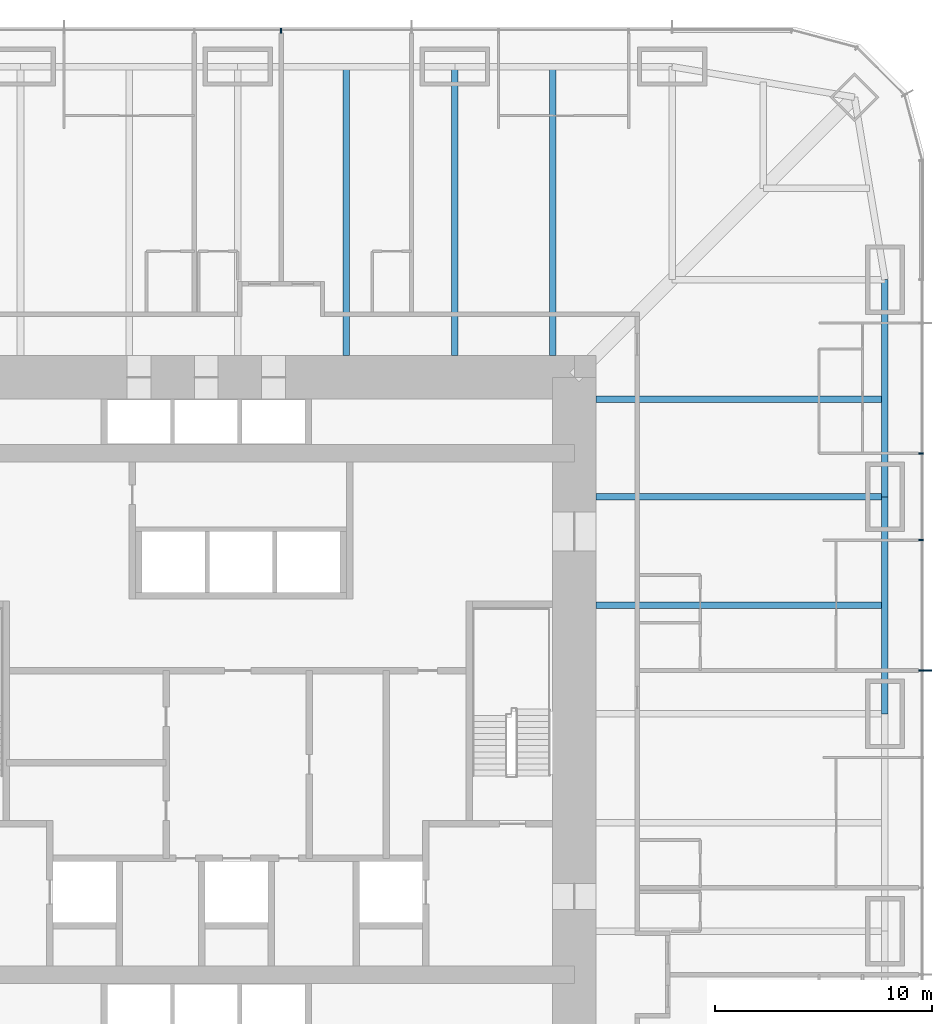
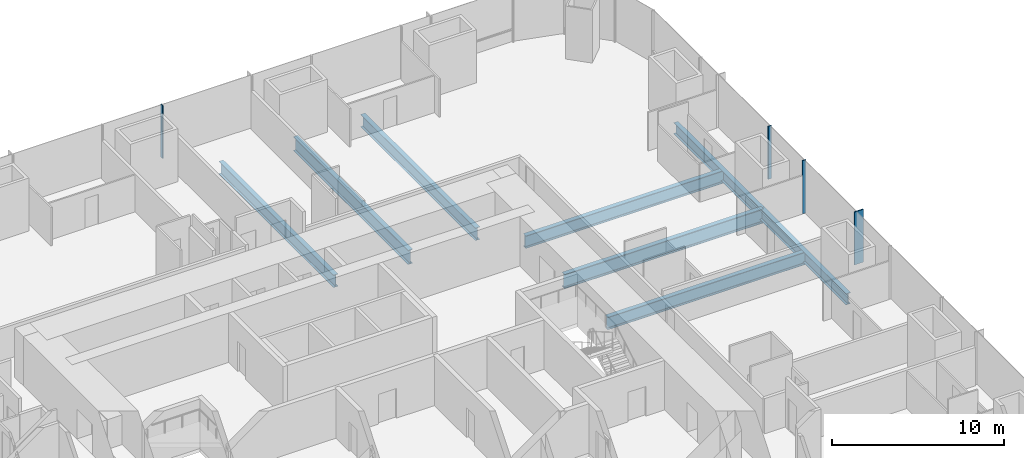
# One storey, part 8 of 17: 8 beams, 4 members, 2 elements without a shape of their own.
"""IFC4 building model written with IfcOpenShell, lengths in metres."""

from ifc_helpers import new_model, si_unit, direction, frame, origin, origin_2d, place, context, subcontext, project, spatial, rectangle, i_section, extrude, material, material_profile, profile_set, type_object, element, aggregate, save


model = new_model("IFC4")

# Units and contexts
model_context = context("Model", 3, precision=1e-05, world=origin(), true_north=direction((0.0, 1.0)))
body_context = subcontext(model_context, "Body", "Model", "MODEL_VIEW")
ifc_project = project(units=[si_unit("LENGTHUNIT", "METRE"), si_unit("AREAUNIT", "SQUARE_METRE"), si_unit("VOLUMEUNIT", "CUBIC_METRE"), si_unit("PLANEANGLEUNIT", "RADIAN"), si_unit("MASSUNIT", "GRAM", prefix="KILO")], contexts=[model_context])

# Site, building, storey
site_placement = place(None, origin())
site = spatial("IfcSite", under=ifc_project, at=site_placement, CompositionType="ELEMENT")
building_placement = place(site_placement, origin())
building = spatial("IfcBuilding", under=site, at=building_placement, Name="Khuree Lantern Residences", CompositionType="ELEMENT")
storey_placement = place(building_placement, frame((0.0, 0.0, 51.0)))
storey = spatial("IfcBuildingStorey", under=building, at=storey_placement, Name="L12", CompositionType="ELEMENT", Elevation=51.0)

# Beams
ifc_material_1 = material(Name="Steel S355", Category="steel")
ifc_material_profile_1 = material_profile(ifc_material_1, i_section(OverallWidth=0.300048828125, OverallDepth=0.889892578125, WebThickness=0.01611328125, FlangeThickness=0.030029296875, FilletRadius=0.030029296875, at=origin_2d()), Name="HE 900 A")
ifc_profile_set_1 = profile_set([ifc_material_profile_1], Name="Steel S355")
beam_type_1 = type_object("IfcBeamType", Name="B-13 SECONDARY BEAM HE 900 A", PredefinedType="BEAM", material=ifc_profile_set_1)
for number, where, z_axis, x_axis, name in (
    (1, (5.0, 29.800048828125, -0.695068359375), (0.0, -1.0, 0.0), (1.0, 0.0, 0.0), "Secondary beam N3"),
    (2, (14.5, 29.800048828125, -0.695068359375), (0.0, -1.0, 0.0), (1.0, 0.0, 0.0), "Secondary beam N4"),
    (3, (29.800048828125, 14.5, -0.695068359375), (-1.0, 0.0, 0.0), (0.0, -1.0, 0.0), "Secondary beam E2"),
    (4, (29.800048828125, 5.0, -0.695068359375), (-1.0, 0.0, 0.0), (0.0, -1.0, 0.0), "Secondary beam E3"),
):
    element("IfcBeam", number, at=place(storey_placement, frame(where, z_axis=z_axis, x_axis=x_axis)), inside=storey, type_object=beam_type_1, Name=name, PredefinedType="BEAM", context=body_context, shape_type="SweptSolid", body=[
        extrude(i_section(OverallWidth=0.300048828125, OverallDepth=0.889892578125, WebThickness=0.01611328125, FlangeThickness=0.030029296875, FilletRadius=0.030029296875, at=origin_2d()), origin(), (0.0, 0.0, 1.0), 13.300048828125),
    ])
ifc_material_profile_2 = material_profile(ifc_material_1, i_section(OverallWidth=0.300048828125, OverallDepth=0.7900390625, WebThickness=0.014892578125, FlangeThickness=0.028076171875, FilletRadius=0.030029296875, at=origin_2d()), Name="HE 800 A")
ifc_profile_set_2 = profile_set([ifc_material_profile_2], Name="Steel S355")
beam_type_2 = type_object("IfcBeamType", Name="E-13 SPANDREL BEAM HE 800 A", PredefinedType="SPANDREL", material=ifc_profile_set_2)
for number, where, z_axis, x_axis, name in (
    (5, (29.800048828125, 20.0, -0.64501953125), (0.0, -1.0, 0.0), (1.0, 0.0, 0.0), "Spandrel beam E2"),
    (6, (29.800048828125, 10.0, -0.64501953125), (0.0, -1.0, 0.0), (1.0, 0.0, 0.0), "Spandrel beam E3"),
):
    element("IfcBeam", number, at=place(storey_placement, frame(where, z_axis=z_axis, x_axis=x_axis)), inside=storey, type_object=beam_type_2, Name=name, PredefinedType="SPANDREL", context=body_context, shape_type="SweptSolid", body=[
        extrude(i_section(OverallWidth=0.300048828125, OverallDepth=0.7900390625, WebThickness=0.014892578125, FlangeThickness=0.028076171875, FilletRadius=0.030029296875, at=origin_2d()), origin(), (0.0, 0.0, 1.0), 10.0),
    ])

# Curtain wall, member
ifc_material_2 = material(Name="Bronze anodised aluminium", Category="aluminium")
curtain_wall_type = type_object("IfcCurtainWallType", Name="CW-T1 TOWER FACE CURTAIN WALL", PredefinedType="USERDEFINED", material=ifc_material_2)
curtain_wall_1_placement = place(storey_placement, origin())
curtain_wall_1 = element("IfcCurtainWall", 7, at=curtain_wall_1_placement, inside=storey, type_object=curtain_wall_type, Name="L12 EAST FACE CURTAIN WALL", ObjectType="Stick-built curtain wall", PredefinedType="USERDEFINED")
ifc_material_profile_3 = material_profile(ifc_material_2, rectangle(XDim=0.06494140625, YDim=0.60009765625, at=origin_2d()), Name="F1 65X600")
ifc_profile_set_3 = profile_set([ifc_material_profile_3], Name="Bronze anodised aluminium")
member_type_1 = type_object("IfcMemberType", Name="F1 BRONZE FIN MULLION TOWER 65X600", PredefinedType="MULLION", material=ifc_profile_set_3)
member_1_placement = place(storey_placement, frame((31.64990234375, 2.0, 0.0), z_axis=(0.0, 0.0, 1.0), x_axis=(0.0, 1.0, 0.0)))
member_1 = element("IfcMember", 8, at=member_1_placement, type_object=member_type_1, Name="L12 EAST FACE FIN MULLION 10", PredefinedType="MULLION", context=body_context, shape_type="SweptSolid", body=[
    extrude(rectangle(XDim=0.06494140625, YDim=0.60009765625, at=origin_2d()), origin(), (0.0, 0.0, 1.0), 3.75),
])

# Beams
ifc_material_profile_4 = material_profile(ifc_material_1, i_section(OverallWidth=0.302001953125, OverallDepth=1.008056640625, WebThickness=0.02099609375, FlangeThickness=0.0400390625, FilletRadius=0.030029296875, at=origin_2d()), Name="HE 1000 M")
ifc_profile_set_4 = profile_set([ifc_material_profile_4], Name="Steel S355")
beam_type_3 = type_object("IfcBeamType", Name="G-13 GIRDER HE 1000 M", PredefinedType="BEAM", material=ifc_profile_set_4)
for number, where, z_axis, x_axis, name in (
    (9, (10.0, 29.800048828125, -0.75390625), (0.0, -1.0, 0.0), (1.0, 0.0, 0.0), "Girder N4"),
    (10, (29.800048828125, 10.0, -0.75390625), (-1.0, 0.0, 0.0), (0.0, -1.0, 0.0), "Girder E2"),
):
    element("IfcBeam", number, at=place(storey_placement, frame(where, z_axis=z_axis, x_axis=x_axis)), inside=storey, type_object=beam_type_3, Name=name, PredefinedType="BEAM", context=body_context, shape_type="SweptSolid", body=[
        extrude(i_section(OverallWidth=0.302001953125, OverallDepth=1.008056640625, WebThickness=0.02099609375, FlangeThickness=0.0400390625, FilletRadius=0.030029296875, at=origin_2d()), origin(), (0.0, 0.0, 1.0), 13.300048828125),
    ])

# Member
ifc_material_profile_5 = material_profile(ifc_material_2, rectangle(XDim=0.06494140625, YDim=0.219970703125, at=origin_2d()), Name="M1 65X220")
ifc_profile_set_5 = profile_set([ifc_material_profile_5], Name="Bronze anodised aluminium")
member_type_2 = type_object("IfcMemberType", Name="M1 BRONZE MULLION TOWER 65X220", PredefinedType="MULLION", material=ifc_profile_set_5)
member_2_placement = place(storey_placement, frame((31.4599609375, 8.0, 0.0), z_axis=(0.0, 0.0, 1.0), x_axis=(0.0, 1.0, 0.0)))
member_2 = element("IfcMember", 11, at=member_2_placement, type_object=member_type_2, Name="L12 EAST FACE MULLION 11", PredefinedType="MULLION", context=body_context, shape_type="SweptSolid", body=[
    extrude(rectangle(XDim=0.06494140625, YDim=0.219970703125, at=origin_2d()), origin(), (0.0, 0.0, 1.0), 3.75),
])

member_3_placement = place(storey_placement, frame((31.4599609375, 12.0, 0.0), z_axis=(0.0, 0.0, 1.0), x_axis=(0.0, 1.0, 0.0)))
member_3 = element("IfcMember", 12, at=member_3_placement, type_object=member_type_2, Name="L12 EAST FACE MULLION 12", PredefinedType="MULLION", context=body_context, shape_type="SweptSolid", body=[
    extrude(rectangle(XDim=0.06494140625, YDim=0.219970703125, at=origin_2d()), origin(), (0.0, 0.0, 1.0), 3.75),
])

aggregate(curtain_wall_1, [member_1, member_2, member_3])

# Curtain wall, member
curtain_wall_2_placement = place(storey_placement, origin())
curtain_wall_2 = element("IfcCurtainWall", 13, at=curtain_wall_2_placement, inside=storey, type_object=curtain_wall_type, Name="L12 NORTH FACE CURTAIN WALL", ObjectType="Stick-built curtain wall", PredefinedType="USERDEFINED")
member_4_placement = place(storey_placement, frame((2.0, 31.4599609375, 0.0), z_axis=(0.0, 0.0, 1.0), x_axis=(-1.0, 0.0, 0.0)))
member_4 = element("IfcMember", 14, at=member_4_placement, type_object=member_type_2, Name="L12 NORTH FACE MULLION 23", PredefinedType="MULLION", context=body_context, shape_type="SweptSolid", body=[
    extrude(rectangle(XDim=0.06494140625, YDim=0.219970703125, at=origin_2d()), origin(), (0.0, 0.0, 1.0), 3.75),
])
aggregate(curtain_wall_2, [member_4])

save(model, "model.ifc")
